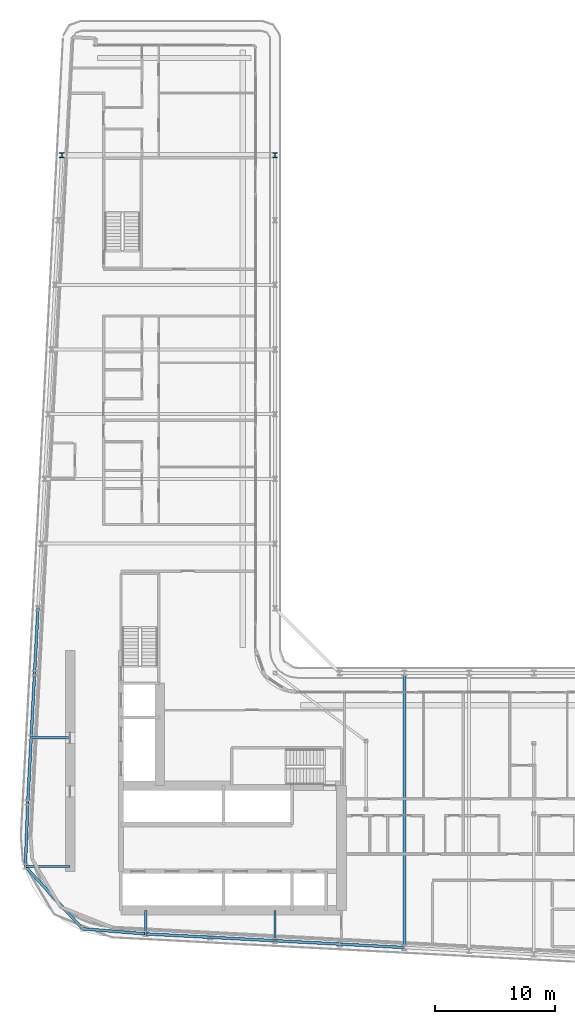
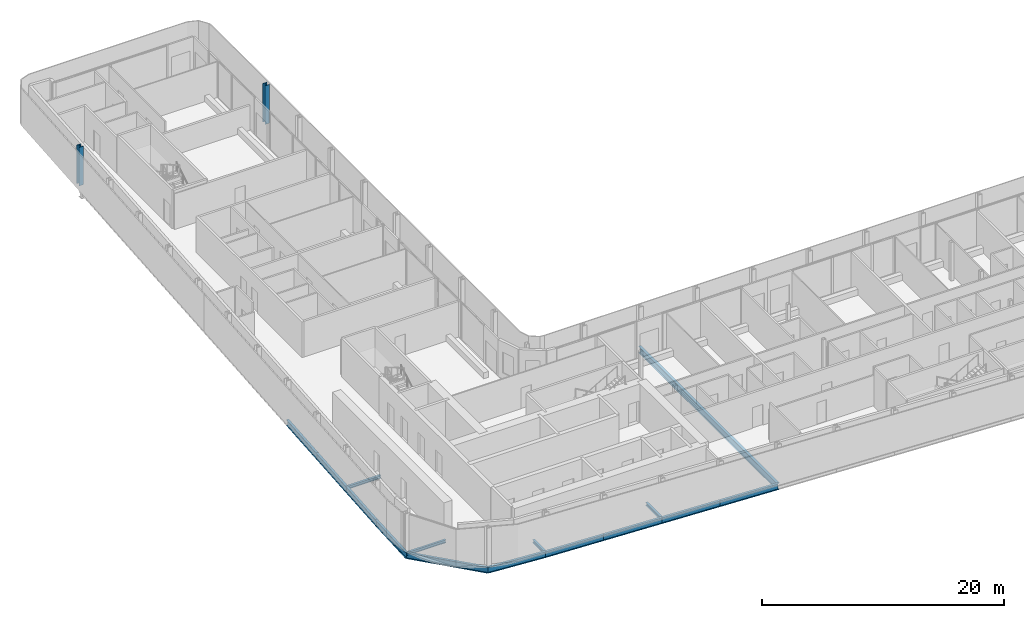
# One storey, part 5 of 29: 15 beams, 2 columns.
"""IFC4 building model written with IfcOpenShell, lengths in metres."""

from ifc_helpers import new_model, si_unit, direction, frame, origin, origin_2d, place, context, subcontext, project, spatial, i_section, extrude, material, material_profile, profile_set, type_object, element, save


model = new_model("IFC4")

# Units and contexts
model_context = context("Model", 3, precision=1e-05, world=origin(), true_north=direction((0.0, 1.0)))
body_context = subcontext(model_context, "Body", "Model", "MODEL_VIEW")
ifc_project = project(units=[si_unit("LENGTHUNIT", "METRE"), si_unit("AREAUNIT", "SQUARE_METRE"), si_unit("VOLUMEUNIT", "CUBIC_METRE"), si_unit("PLANEANGLEUNIT", "RADIAN"), si_unit("MASSUNIT", "GRAM", prefix="KILO")], contexts=[model_context])

# Site, building, storey
site_placement = place(None, origin())
site = spatial("IfcSite", under=ifc_project, at=site_placement, CompositionType="ELEMENT")
building_placement = place(site_placement, origin())
building = spatial("IfcBuilding", under=site, at=building_placement, Name="Kheshtan School and Residences Tower", CompositionType="ELEMENT")
storey_placement = place(building_placement, frame((0.0, 0.0, 176.0)))
storey = spatial("IfcBuildingStorey", under=building, at=storey_placement, Name="L41", CompositionType="ELEMENT", Elevation=176.0)

# Columns
ifc_material = material(Name="Steel ASTM A992 Grade 50", Category="steel")
ifc_material_profile_1 = material_profile(ifc_material, i_section(OverallWidth=0.408935546875, OverallDepth=0.425048828125, WebThickness=0.03271484375, FlangeThickness=0.052490234375, FilletRadius=0.0126953125, at=origin_2d()), Name="W360x421")
ifc_profile_set_1 = profile_set([ifc_material_profile_1], Name="Steel ASTM A992 Grade 50")
column_type = type_object("IfcColumnType", Name="Column C3 W360x421 ASTM A992 Grade 50", PredefinedType="COLUMN", material=ifc_profile_set_1)
for number, where, z_axis, x_axis, name in (
    (1, (29.81103515625, 88.800048828125, 0.0), (0.0, 0.0, 1.0), (1.0, 0.0, 0.0), "Column C098"),
    (2, (47.60009765625, 88.800048828125, 0.0), (0.0, 0.0, 1.0), (1.0, 0.0, 0.0), "Column C099"),
):
    element("IfcColumn", number, at=place(storey_placement, frame(where, z_axis=z_axis, x_axis=x_axis)), inside=storey, type_object=column_type, Name=name, PredefinedType="COLUMN", context=body_context, shape_type="SweptSolid", body=[
        extrude(i_section(OverallWidth=0.408935546875, OverallDepth=0.425048828125, WebThickness=0.03271484375, FlangeThickness=0.052490234375, FilletRadius=0.0126953125, at=origin_2d()), origin(), (0.0, 0.0, 1.0), 3.89990234375),
    ])

# Beams
ifc_material_profile_2 = material_profile(ifc_material, i_section(OverallWidth=0.202880859375, OverallDepth=0.302978515625, WebThickness=0.007568359375, FlangeThickness=0.01318359375, FilletRadius=0.009033203125, at=origin_2d()), Name="W310x60")
ifc_profile_set_2 = profile_set([ifc_material_profile_2], Name="Steel ASTM A992 Grade 50")
beam_type_1 = type_object("IfcBeamType", Name="Beam FB1 W310x60 ASTM A992 Grade 50", PredefinedType="BEAM", material=ifc_profile_set_2)
beam_1_placement = place(storey_placement, frame((47.60009765625, 23.263916015625, -0.301513671875), z_axis=(0.0, 1.0, 0.0), x_axis=(-1.0, 0.0, 0.0)))
element("IfcBeam", 3, at=beam_1_placement, inside=storey, type_object=beam_type_1, Name="Floor beam C020", PredefinedType="BEAM", context=body_context, shape_type="SweptSolid", body=[
    extrude(i_section(OverallWidth=0.202880859375, OverallDepth=0.302978515625, WebThickness=0.007568359375, FlangeThickness=0.01318359375, FilletRadius=0.009033203125, at=origin_2d()), origin(), (0.0, 0.0, 1.0), 2.5361328125),
])
beam_2_placement = place(storey_placement, frame((36.800048828125, 23.83203125, -0.301513671875), z_axis=(0.0, 1.0, 0.0), x_axis=(-1.0, 0.0, 0.0)))
element("IfcBeam", 4, at=beam_2_placement, inside=storey, type_object=beam_type_1, Name="Floor beam C022", PredefinedType="BEAM", context=body_context, shape_type="SweptSolid", body=[
    extrude(i_section(OverallWidth=0.202880859375, OverallDepth=0.302978515625, WebThickness=0.007568359375, FlangeThickness=0.01318359375, FilletRadius=0.009033203125, at=origin_2d()), origin(), (0.0, 0.0, 1.0), 1.968017578125),
])
beam_3_placement = place(storey_placement, frame((26.76904296875, 29.4541015625, -0.301513671875), z_axis=(1.0, 0.0, 0.0), x_axis=(0.0, 1.0, 0.0)))
element("IfcBeam", 5, at=beam_3_placement, inside=storey, type_object=beam_type_1, Name="Floor beam C038", PredefinedType="BEAM", context=body_context, shape_type="SweptSolid", body=[
    extrude(i_section(OverallWidth=0.202880859375, OverallDepth=0.302978515625, WebThickness=0.007568359375, FlangeThickness=0.01318359375, FilletRadius=0.009033203125, at=origin_2d()), origin(), (0.0, 0.0, 1.0), 3.73095703125),
])
beam_4_placement = place(storey_placement, frame((27.2529296875, 40.199951171875, -0.301513671875), z_axis=(1.0, 0.0, 0.0), x_axis=(0.0, 1.0, 0.0)))
element("IfcBeam", 6, at=beam_4_placement, inside=storey, type_object=beam_type_1, Name="Floor beam C056", PredefinedType="BEAM", context=body_context, shape_type="SweptSolid", body=[
    extrude(i_section(OverallWidth=0.202880859375, OverallDepth=0.302978515625, WebThickness=0.007568359375, FlangeThickness=0.01318359375, FilletRadius=0.009033203125, at=origin_2d()), origin(), (0.0, 0.0, 1.0), 3.2470703125),
])
ifc_material_profile_3 = material_profile(ifc_material, i_section(OverallWidth=0.2529296875, OverallDepth=0.677978515625, WebThickness=0.01171875, FlangeThickness=0.016357421875, FilletRadius=0.0146484375, at=origin_2d()), Name="W690x125")
ifc_profile_set_3 = profile_set([ifc_material_profile_3], Name="Steel ASTM A992 Grade 50")
beam_type_2 = type_object("IfcBeamType", Name="Beam FB6 W690x125 ASTM A992 Grade 50", PredefinedType="BEAM", material=ifc_profile_set_3)
beam_5_placement = place(storey_placement, frame((58.39990234375, 22.695068359375, -0.489013671875), z_axis=(0.0, 1.0, 0.0), x_axis=(-1.0, 0.0, 0.0)))
element("IfcBeam", 7, at=beam_5_placement, inside=storey, type_object=beam_type_2, Name="Floor beam C018", PredefinedType="BEAM", context=body_context, shape_type="SweptSolid", body=[
    extrude(i_section(OverallWidth=0.2529296875, OverallDepth=0.677978515625, WebThickness=0.01171875, FlangeThickness=0.016357421875, FilletRadius=0.0146484375, at=origin_2d()), origin(), (0.0, 0.0, 1.0), 22.905029296875),
])
ifc_material_profile_4 = material_profile(ifc_material, i_section(OverallWidth=0.22802734375, OverallDepth=0.60302734375, WebThickness=0.010498046875, FlangeThickness=0.014892578125, FilletRadius=0.013427734375, at=origin_2d()), Name="W610x101")
ifc_profile_set_4 = profile_set([ifc_material_profile_4], Name="Steel ASTM A992 Grade 50")
beam_type_3 = type_object("IfcBeamType", Name="Beam SP2 W610x101 ASTM A992 Grade 50", PredefinedType="BEAM", material=ifc_profile_set_4)
for number, where, z_axis, x_axis, name in (
    (8, (58.39990234375, 22.695068359375, -0.451416015625), (-0.998610961136, 0.052689166816, 0.0), (-0.052689166816, -0.998610961136, 0.0), "Spandrel beam C018-C019"),
    (9, (53.0, 22.97998046875, -0.451416015625), (-0.998620447272, 0.05250906864, 0.0), (-0.05250906864, -0.998620447272, 0.0), "Spandrel beam C019-C020"),
):
    element("IfcBeam", number, at=place(storey_placement, frame(where, z_axis=z_axis, x_axis=x_axis)), inside=storey, type_object=beam_type_3, Name=name, PredefinedType="BEAM", context=body_context, shape_type="SweptSolid", body=[
        extrude(i_section(OverallWidth=0.22802734375, OverallDepth=0.60302734375, WebThickness=0.010498046875, FlangeThickness=0.014892578125, FilletRadius=0.013427734375, at=origin_2d()), origin(), (0.0, 0.0, 1.0), 5.407470703125),
    ])
beam_6_placement = place(storey_placement, frame((47.60009765625, 23.263916015625, -0.451416015625), z_axis=(-0.998618203458, 0.052551724256, 0.0), x_axis=(-0.052551724256, -0.998618203458, 0.0)))
element("IfcBeam", 10, at=beam_6_placement, inside=storey, type_object=beam_type_3, Name="Spandrel beam C020-C021", PredefinedType="BEAM", context=body_context, shape_type="SweptSolid", body=[
    extrude(i_section(OverallWidth=0.22802734375, OverallDepth=0.60302734375, WebThickness=0.010498046875, FlangeThickness=0.014892578125, FilletRadius=0.013427734375, at=origin_2d()), origin(), (0.0, 0.0, 1.0), 5.40771484375),
])
beam_7_placement = place(storey_placement, frame((42.199951171875, 23.548095703125, -0.451416015625), z_axis=(-0.998620447272, 0.05250906864, 0.0), x_axis=(-0.05250906864, -0.998620447272, 0.0)))
element("IfcBeam", 11, at=beam_7_placement, inside=storey, type_object=beam_type_3, Name="Spandrel beam C021-C022", PredefinedType="BEAM", context=body_context, shape_type="SweptSolid", body=[
    extrude(i_section(OverallWidth=0.22802734375, OverallDepth=0.60302734375, WebThickness=0.010498046875, FlangeThickness=0.014892578125, FilletRadius=0.013427734375, at=origin_2d()), origin(), (0.0, 0.0, 1.0), 5.407470703125),
])
beam_8_placement = place(storey_placement, frame((36.800048828125, 23.83203125, -0.451416015625), z_axis=(-0.996748565693, 0.08057479003, 0.0), x_axis=(-0.08057479003, -0.996748565693, 0.0)))
element("IfcBeam", 12, at=beam_8_placement, inside=storey, type_object=beam_type_3, Name="Spandrel beam C022-C025", PredefinedType="BEAM", context=body_context, shape_type="SweptSolid", body=[
    extrude(i_section(OverallWidth=0.22802734375, OverallDepth=0.60302734375, WebThickness=0.010498046875, FlangeThickness=0.014892578125, FilletRadius=0.013427734375, at=origin_2d()), origin(), (0.0, 0.0, 1.0), 5.275146484375),
])
beam_9_placement = place(storey_placement, frame((31.5419921875, 24.257080078125, -0.451416015625), z_axis=(-0.676418406149, 0.736517576045, 0.0), x_axis=(-0.736517576045, -0.676418406149, 0.0)))
element("IfcBeam", 13, at=beam_9_placement, inside=storey, type_object=beam_type_3, Name="Spandrel beam C025-C038", PredefinedType="BEAM", context=body_context, shape_type="SweptSolid", body=[
    extrude(i_section(OverallWidth=0.22802734375, OverallDepth=0.60302734375, WebThickness=0.010498046875, FlangeThickness=0.014892578125, FilletRadius=0.013427734375, at=origin_2d()), origin(), (0.0, 0.0, 1.0), 7.05615234375),
])
beam_10_placement = place(storey_placement, frame((26.76904296875, 29.4541015625, -0.451416015625), z_axis=(0.037376249491, 0.999301263871, 0.0), x_axis=(-0.999301263871, 0.037376249491, 0.0)))
element("IfcBeam", 14, at=beam_10_placement, inside=storey, type_object=beam_type_3, Name="Spandrel beam C038-C052", PredefinedType="BEAM", context=body_context, shape_type="SweptSolid", body=[
    extrude(i_section(OverallWidth=0.22802734375, OverallDepth=0.60302734375, WebThickness=0.010498046875, FlangeThickness=0.014892578125, FilletRadius=0.013427734375, at=origin_2d()), origin(), (0.0, 0.0, 1.0), 5.349609375),
])
beam_11_placement = place(storey_placement, frame((26.968994140625, 34.800048828125, -0.451416015625), z_axis=(0.05250906864, 0.998620447272, 0.0), x_axis=(-0.998620447272, 0.05250906864, 0.0)))
element("IfcBeam", 15, at=beam_11_placement, inside=storey, type_object=beam_type_3, Name="Spandrel beam C052-C056", PredefinedType="BEAM", context=body_context, shape_type="SweptSolid", body=[
    extrude(i_section(OverallWidth=0.22802734375, OverallDepth=0.60302734375, WebThickness=0.010498046875, FlangeThickness=0.014892578125, FilletRadius=0.013427734375, at=origin_2d()), origin(), (0.0, 0.0, 1.0), 5.407470703125),
])
beam_12_placement = place(storey_placement, frame((27.2529296875, 40.199951171875, -0.451416015625), z_axis=(0.052551724256, 0.998618203458, 0.0), x_axis=(-0.998618203458, 0.052551724256, 0.0)))
element("IfcBeam", 16, at=beam_12_placement, inside=storey, type_object=beam_type_3, Name="Spandrel beam C056-C059", PredefinedType="BEAM", context=body_context, shape_type="SweptSolid", body=[
    extrude(i_section(OverallWidth=0.22802734375, OverallDepth=0.60302734375, WebThickness=0.010498046875, FlangeThickness=0.014892578125, FilletRadius=0.013427734375, at=origin_2d()), origin(), (0.0, 0.0, 1.0), 5.40771484375),
])
beam_13_placement = place(storey_placement, frame((27.537109375, 45.60009765625, -0.451416015625), z_axis=(0.052689166816, 0.998610961136, 0.0), x_axis=(-0.998610961136, 0.052689166816, 0.0)))
element("IfcBeam", 17, at=beam_13_placement, inside=storey, type_object=beam_type_3, Name="Spandrel beam C059-C078", PredefinedType="BEAM", context=body_context, shape_type="SweptSolid", body=[
    extrude(i_section(OverallWidth=0.22802734375, OverallDepth=0.60302734375, WebThickness=0.010498046875, FlangeThickness=0.014892578125, FilletRadius=0.013427734375, at=origin_2d()), origin(), (0.0, 0.0, 1.0), 5.407470703125),
])

save(model, "model.ifc")
